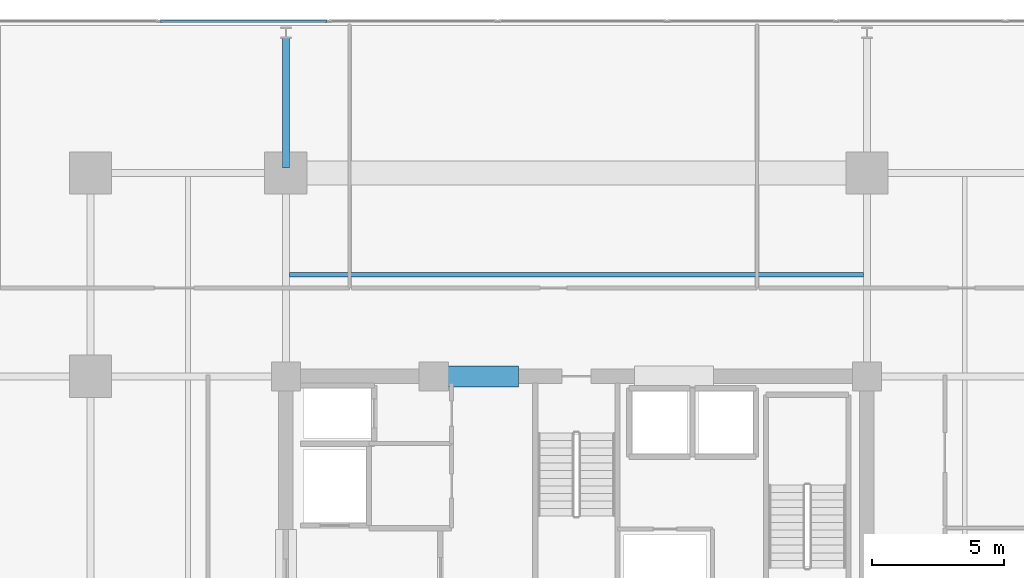
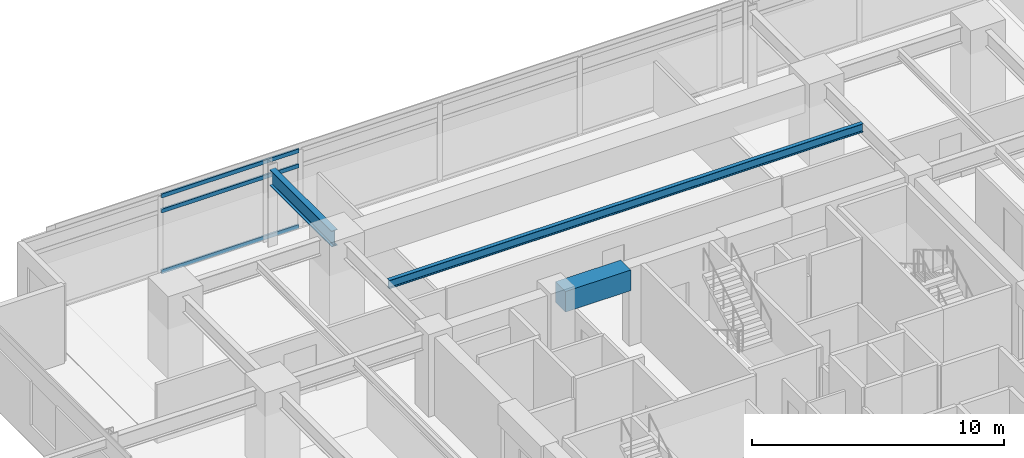
# One storey, part 7 of 23: 3 beams, 3 members, 1 element without a shape of its own.
"""IFC4 building model written with IfcOpenShell, lengths in metres."""

from ifc_helpers import new_model, si_unit, direction, frame, origin, origin_2d, place, context, subcontext, project, spatial, rectangle, hollow_rectangle, i_section, extrude, material, material_profile, profile_set, type_object, element, aggregate, save


model = new_model("IFC4")

# Units and contexts
model_context = context("Model", 3, precision=1e-05, world=origin(), true_north=direction((0.0, 1.0)))
body_context = subcontext(model_context, "Body", "Model", "MODEL_VIEW")
ifc_project = project(units=[si_unit("LENGTHUNIT", "METRE"), si_unit("AREAUNIT", "SQUARE_METRE"), si_unit("VOLUMEUNIT", "CUBIC_METRE"), si_unit("PLANEANGLEUNIT", "RADIAN"), si_unit("MASSUNIT", "GRAM", prefix="KILO")], contexts=[model_context])

# Site, building, storey
site_placement = place(None, origin())
site = spatial("IfcSite", under=ifc_project, at=site_placement, CompositionType="ELEMENT")
building_placement = place(site_placement, origin())
building = spatial("IfcBuilding", under=site, at=building_placement, Name="Kovane Verandah Tower", CompositionType="ELEMENT")
storey_placement = place(building_placement, frame((0.0, 0.0, 140.39990234375)))
storey = spatial("IfcBuildingStorey", under=building, at=storey_placement, Name="L32", CompositionType="ELEMENT", Elevation=140.39990234375)

# Beams
ifc_material_1 = material(Name="Concrete C60/75", Category="concrete")
ifc_material_profile_1 = material_profile(ifc_material_1, rectangle(XDim=0.800048828125, YDim=1.0, at=origin_2d()), Name="RCB800x1000")
ifc_profile_set_1 = profile_set([ifc_material_profile_1], Name="Concrete C60/75")
beam_type_1 = type_object("IfcBeamType", Name="BM-LINTEL-800x1000", PredefinedType="LINTEL", material=ifc_profile_set_1)
beam_1_placement = place(storey_placement, frame((34.800048828125, 36.5, 3.275146484375), z_axis=(1.0, 0.0, 0.0), x_axis=(0.0, 1.0, 0.0)))
element("IfcBeam", 1, at=beam_1_placement, inside=storey, type_object=beam_type_1, Name="L32 Core Coupling Lintel CL-N1", PredefinedType="LINTEL", context=body_context, shape_type="SweptSolid", body=[
    extrude(rectangle(XDim=0.800048828125, YDim=1.0, at=origin_2d()), origin(), (0.0, 0.0, 1.0), 3.0),
])
ifc_material_2 = material(Name="Steel S355", Category="steel")
ifc_material_profile_2 = material_profile(ifc_material_2, i_section(OverallWidth=0.26806640625, OverallDepth=0.769775390625, WebThickness=0.015625, FlangeThickness=0.025390625, FilletRadius=0.0166015625, at=origin_2d()), Name="UB762x267x197")
ifc_profile_set_2 = profile_set([ifc_material_profile_2], Name="Steel S355")
beam_type_2 = type_object("IfcBeamType", Name="BM-UB762x197", PredefinedType="BEAM", material=ifc_profile_set_2)
beam_2_placement = place(storey_placement, frame((29.0, 44.3798828125, 3.375244140625), z_axis=(0.0, 1.0, 0.0), x_axis=(-1.0, 0.0, 0.0)))
element("IfcBeam", 2, at=beam_2_placement, inside=storey, type_object=beam_type_2, Name="L32 Primary Tower Girder G-VN1", PredefinedType="BEAM", context=body_context, shape_type="SweptSolid", body=[
    extrude(i_section(OverallWidth=0.26806640625, OverallDepth=0.769775390625, WebThickness=0.015625, FlangeThickness=0.025390625, FilletRadius=0.0166015625, at=origin_2d()), origin(), (0.0, 0.0, 1.0), 4.940185546875),
])

# Curtain wall, members
ifc_material_3 = material(Name="Champagne Anodised Aluminium Frame with Low-E Clear Laminated Glass", Category="aluminium")
curtain_wall_type = type_object("IfcCurtainWallType", Name="CW-SYS-03-MID", PredefinedType="NOTDEFINED", material=ifc_material_3)
curtain_wall_placement = place(storey_placement, origin())
curtain_wall = element("IfcCurtainWall", 3, at=curtain_wall_placement, inside=storey, type_object=curtain_wall_type, Name="L32 N Unitised Curtain Wall", PredefinedType="NOTDEFINED")
ifc_material_4 = material(Name="Champagne Anodised Aluminium 6063-T6", Category="aluminium")
ifc_material_profile_3 = material_profile(ifc_material_4, hollow_rectangle(XDim=0.0849609375, YDim=0.18994140625, WallThickness=0.00390625, at=origin_2d()), Name="AL85x190x4")
ifc_profile_set_3 = profile_set([ifc_material_profile_3], Name="Champagne Anodised Aluminium 6063-T6")
member_type = type_object("IfcMemberType", Name="CW-TRN-85x190", PredefinedType="USERDEFINED", material=ifc_profile_set_3)
member_1_placement = place(storey_placement, frame((30.565185546875, 49.94091796875, 0.050048828125), z_axis=(-1.0, 0.0, 0.0), x_axis=(0.0, -1.0, 0.0)))
member_1 = element("IfcMember", 4, at=member_1_placement, type_object=member_type, Name="L32 N Unitised Curtain Wall Transom TB Bay 6", ObjectType="TRANSOM", PredefinedType="USERDEFINED", context=body_context, shape_type="SweptSolid", body=[
    extrude(hollow_rectangle(XDim=0.0849609375, YDim=0.18994140625, WallThickness=0.00390625, at=origin_2d()), origin(), (0.0, 0.0, 1.0), 6.30810546875),
])
member_2_placement = place(storey_placement, frame((30.565185546875, 49.94091796875, 2.9951171875), z_axis=(-1.0, 0.0, 0.0), x_axis=(0.0, -1.0, 0.0)))
member_2 = element("IfcMember", 5, at=member_2_placement, type_object=member_type, Name="L32 N Unitised Curtain Wall Transom TM Bay 6", ObjectType="TRANSOM", PredefinedType="USERDEFINED", context=body_context, shape_type="SweptSolid", body=[
    extrude(hollow_rectangle(XDim=0.0849609375, YDim=0.18994140625, WallThickness=0.00390625, at=origin_2d()), origin(), (0.0, 0.0, 1.0), 6.30810546875),
])
member_3_placement = place(storey_placement, frame((30.565185546875, 49.94091796875, 3.72509765625), z_axis=(-1.0, 0.0, 0.0), x_axis=(0.0, -1.0, 0.0)))
member_3 = element("IfcMember", 6, at=member_3_placement, type_object=member_type, Name="L32 N Unitised Curtain Wall Transom TT Bay 6", ObjectType="TRANSOM", PredefinedType="USERDEFINED", context=body_context, shape_type="SweptSolid", body=[
    extrude(hollow_rectangle(XDim=0.0849609375, YDim=0.18994140625, WallThickness=0.00390625, at=origin_2d()), origin(), (0.0, 0.0, 1.0), 6.30810546875),
])
aggregate(curtain_wall, [member_1, member_2, member_3])

# Beam
ifc_material_profile_4 = material_profile(ifc_material_2, i_section(OverallWidth=0.179443359375, OverallDepth=0.412841796875, WebThickness=0.009521484375, FlangeThickness=0.01611328125, FilletRadius=0.01025390625, at=origin_2d()), Name="UB406x178x74")
ifc_profile_set_4 = profile_set([ifc_material_profile_4], Name="Steel S355")
beam_type_3 = type_object("IfcBeamType", Name="JST-UB406x74", PredefinedType="JOIST", material=ifc_profile_set_4)
beam_3_placement = place(storey_placement, frame((29.132080078125, 40.35009765625, 3.568603515625), z_axis=(1.0, 0.0, 0.0), x_axis=(0.0, 1.0, 0.0)))
element("IfcBeam", 7, at=beam_3_placement, inside=storey, type_object=beam_type_3, Name="L32 Secondary Composite Joist J-N1", PredefinedType="JOIST", context=body_context, shape_type="SweptSolid", body=[
    extrude(i_section(OverallWidth=0.179443359375, OverallDepth=0.412841796875, WebThickness=0.009521484375, FlangeThickness=0.01611328125, FilletRadius=0.01025390625, at=origin_2d()), origin(), (0.0, 0.0, 1.0), 21.73583984375),
])

save(model, "model.ifc")
